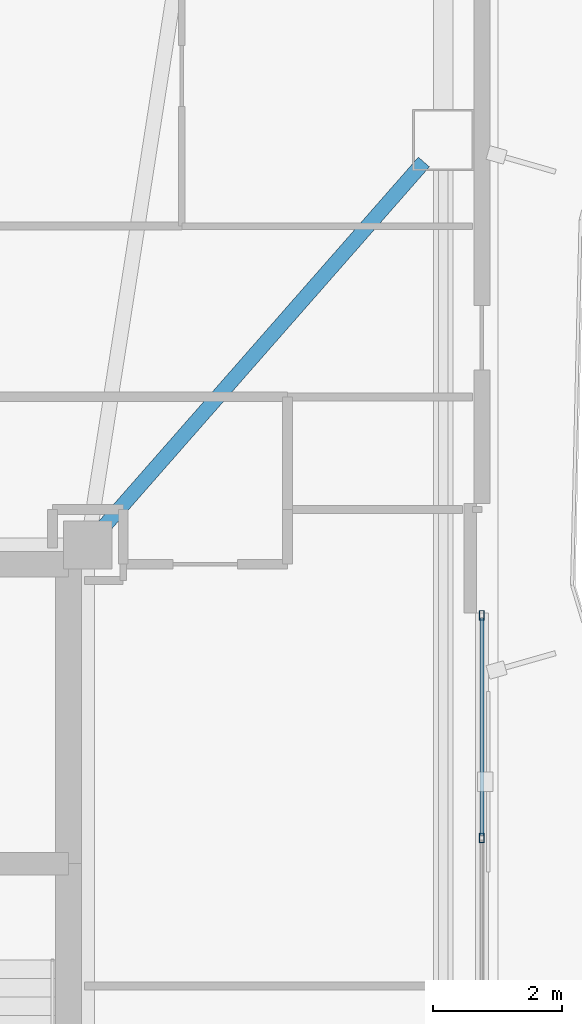
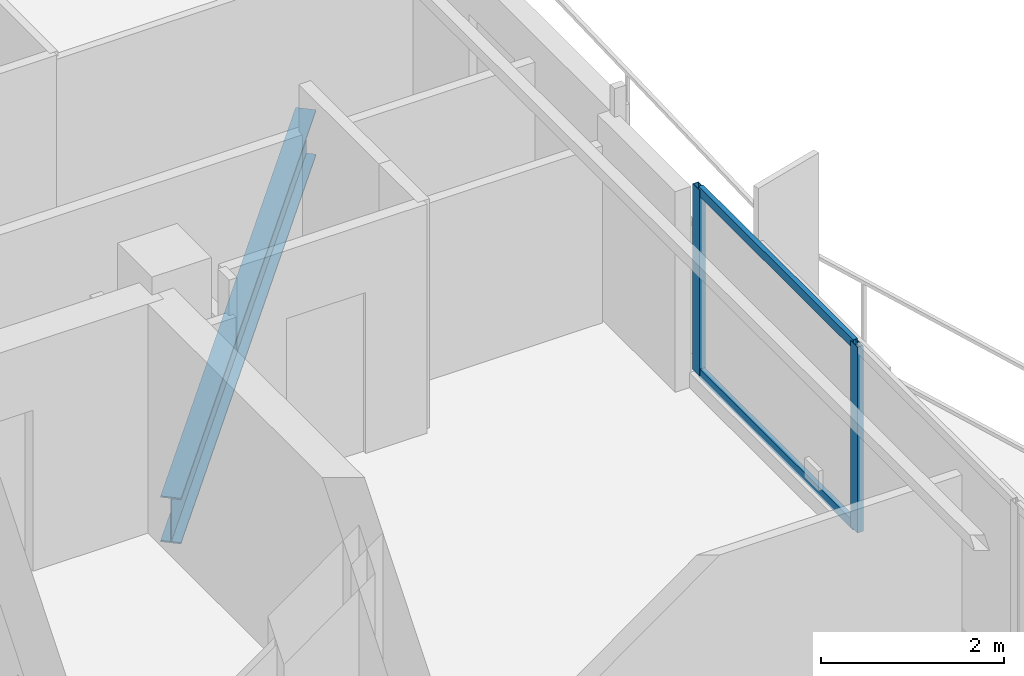
# One storey, part 9 of 19: 4 members, 1 beam, 1 element without a shape of its own.
"""IFC4 building model written with IfcOpenShell, lengths in metres."""

from ifc_helpers import new_model, si_unit, direction, frame, origin, origin_2d, place, context, subcontext, project, spatial, hollow_rectangle, i_section, extrude, material, layer, layer_set, material_profile, profile_set, type_object, element, aggregate, save


model = new_model("IFC4")

# Units and contexts
model_context = context("Model", 3, precision=1e-05, world=origin(), true_north=direction((0.0, 1.0)))
body_context = subcontext(model_context, "Body", "Model", "MODEL_VIEW")
ifc_project = project(units=[si_unit("LENGTHUNIT", "METRE"), si_unit("AREAUNIT", "SQUARE_METRE"), si_unit("VOLUMEUNIT", "CUBIC_METRE"), si_unit("PLANEANGLEUNIT", "RADIAN"), si_unit("MASSUNIT", "GRAM", prefix="KILO")], contexts=[model_context])

# Site, building, storey
site_placement = place(None, origin())
site = spatial("IfcSite", under=ifc_project, at=site_placement, CompositionType="ELEMENT")
building_placement = place(site_placement, origin())
building = spatial("IfcBuilding", under=site, at=building_placement, Name="Mersakhor Tower and Convention Hall", CompositionType="ELEMENT")
storey_placement = place(building_placement, frame((0.0, 0.0, 141.0)))
storey = spatial("IfcBuildingStorey", under=building, at=storey_placement, Name="L39", CompositionType="ELEMENT", Elevation=141.0)

# Beam
ifc_material_1 = material(Name="Steel S355", Category="steel")
ifc_material_profile_1 = material_profile(ifc_material_1, i_section(OverallWidth=0.22900390625, OverallDepth=0.6123046875, WebThickness=0.011962890625, FlangeThickness=0.01953125, at=origin_2d()), Name="UB 610x229x125")
ifc_profile_set_1 = profile_set([ifc_material_profile_1], Name="Steel S355")
beam_type = type_object("IfcBeamType", Name="BM-PR-610", PredefinedType="BEAM", material=ifc_profile_set_1)
beam_placement = place(storey_placement, frame((36.334228515625, 33.31689453125, -0.546142578125), z_axis=(0.65963831109, 0.751583194691, 0.0), x_axis=(-0.751583194691, 0.65963831109, 0.0)))
element("IfcBeam", 1, at=beam_placement, inside=storey, type_object=beam_type, Name="L39 Primary Floor Girder FG-3", PredefinedType="BEAM", context=body_context, shape_type="SweptSolid", body=[
    extrude(i_section(OverallWidth=0.22900390625, OverallDepth=0.6123046875, WebThickness=0.011962890625, FlangeThickness=0.01953125, at=origin_2d()), origin(), (0.0, 0.0, 1.0), 7.556884765625),
])

# Curtain wall, members
ifc_material_2 = material(Name="Dark solar low-E aluminium curtain wall", Category="aluminium")
ifc_layer = layer(ifc_material_2, 0.169921875)
ifc_layer_set = layer_set([ifc_layer], Name="Dark solar low-E aluminium curtain wall")
curtain_wall_type = type_object("IfcCurtainWallType", Name="CW-SYS-02", PredefinedType="USERDEFINED", material=ifc_layer_set)
curtain_wall_placement = place(storey_placement, origin())
curtain_wall = element("IfcCurtainWall", 2, at=curtain_wall_placement, inside=storey, type_object=curtain_wall_type, Name="L39 Dark-Glass Curtain Wall F2-B2", ObjectType="CURTAIN WALL", PredefinedType="USERDEFINED")
ifc_material_3 = material(Name="Anodised aluminium EN AW-6063 T6", Category="aluminium")
ifc_material_profile_2 = material_profile(ifc_material_3, hollow_rectangle(XDim=0.074951171875, YDim=0.14990234375, WallThickness=0.00634765625, at=origin_2d()), Name="RHS 150x75x6.3")
ifc_profile_set_2 = profile_set([ifc_material_profile_2], Name="Anodised aluminium EN AW-6063 T6")
member_type_1 = type_object("IfcMemberType", Name="CWM-150x75", PredefinedType="MULLION", material=ifc_profile_set_2)
member_1_placement = place(storey_placement, frame((42.21923828125, 31.95556640625, 0.199951171875), z_axis=(0.0, 0.0, 1.0), x_axis=(1.0, 0.0, 0.0)))
member_1 = element("IfcMember", 3, at=member_1_placement, type_object=member_type_1, Name="CW-02 mullion 1", PredefinedType="MULLION", context=body_context, shape_type="SweptSolid", body=[
    extrude(hollow_rectangle(XDim=0.074951171875, YDim=0.14990234375, WallThickness=0.00634765625, at=origin_2d()), origin(), (0.0, 0.0, 1.0), 2.47998046875),
])
member_2_placement = place(storey_placement, frame((42.21923828125, 28.49755859375, 0.199951171875), z_axis=(0.0, 0.0, 1.0), x_axis=(1.0, 0.0, 0.0)))
member_2 = element("IfcMember", 4, at=member_2_placement, type_object=member_type_1, Name="CW-02 mullion 2", PredefinedType="MULLION", context=body_context, shape_type="SweptSolid", body=[
    extrude(hollow_rectangle(XDim=0.074951171875, YDim=0.14990234375, WallThickness=0.00634765625, at=origin_2d()), origin(), (0.0, 0.0, 1.0), 2.47998046875),
])
ifc_material_4 = material(Name="Anodised aluminium EN AW-6063 T6", Category="aluminium")
ifc_material_profile_3 = material_profile(ifc_material_4, hollow_rectangle(XDim=0.06005859375, YDim=0.1201171875, WallThickness=0.0048828125, at=origin_2d()), Name="RHS 120x60x5")
ifc_profile_set_3 = profile_set([ifc_material_profile_3], Name="Anodised aluminium EN AW-6063 T6")
member_type_2 = type_object("IfcMemberType", Name="CWT-120x60", PredefinedType="USERDEFINED", material=ifc_profile_set_3)
member_3_placement = place(storey_placement, frame((42.21923828125, 31.91796875, 0.22998046875), z_axis=(0.0, -1.0, 0.0), x_axis=(1.0, 0.0, 0.0)))
member_3 = element("IfcMember", 5, at=member_3_placement, type_object=member_type_2, Name="CW-02 transom 1.1", ObjectType="TRANSOM", PredefinedType="USERDEFINED", context=body_context, shape_type="SweptSolid", body=[
    extrude(hollow_rectangle(XDim=0.06005859375, YDim=0.1201171875, WallThickness=0.0048828125, at=origin_2d()), origin(), (0.0, 0.0, 1.0), 3.3828125),
])
member_4_placement = place(storey_placement, frame((42.21923828125, 31.91796875, 2.64990234375), z_axis=(0.0, -1.0, 0.0), x_axis=(1.0, 0.0, 0.0)))
member_4 = element("IfcMember", 6, at=member_4_placement, type_object=member_type_2, Name="CW-02 transom 1.2", ObjectType="TRANSOM", PredefinedType="USERDEFINED", context=body_context, shape_type="SweptSolid", body=[
    extrude(hollow_rectangle(XDim=0.06005859375, YDim=0.1201171875, WallThickness=0.0048828125, at=origin_2d()), origin(), (0.0, 0.0, 1.0), 3.3828125),
])
aggregate(curtain_wall, [member_1, member_2, member_3, member_4])

save(model, "model.ifc")
